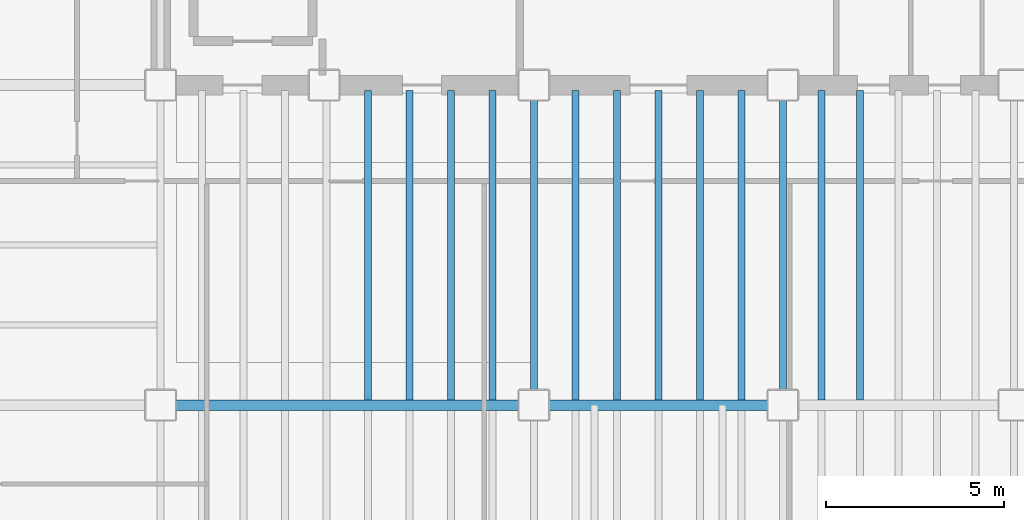
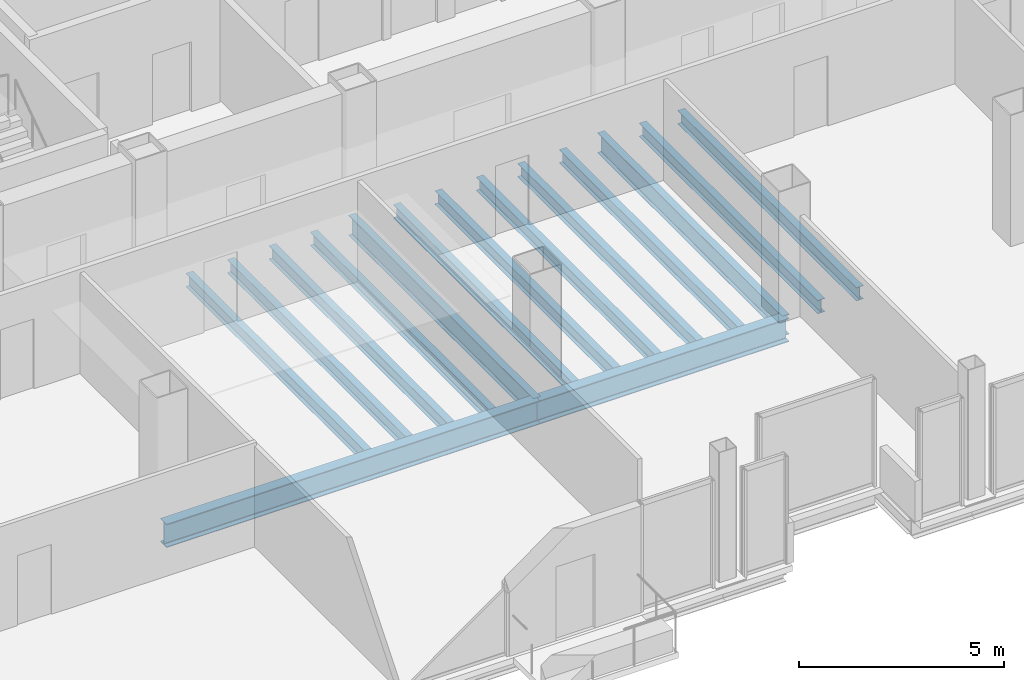
# One storey, part 6 of 20: 15 beams.
"""IFC4 building model written with IfcOpenShell, lengths in metres."""

from ifc_helpers import new_model, si_unit, direction, frame, origin, origin_2d, place, context, subcontext, project, spatial, i_section, extrude, material, material_profile, profile_set, type_object, element, save


model = new_model("IFC4")

# Units and contexts
model_context = context("Model", 3, precision=1e-05, world=origin(), true_north=direction((0.0, 1.0)))
body_context = subcontext(model_context, "Body", "Model", "MODEL_VIEW")
ifc_project = project(units=[si_unit("LENGTHUNIT", "METRE"), si_unit("AREAUNIT", "SQUARE_METRE"), si_unit("VOLUMEUNIT", "CUBIC_METRE"), si_unit("PLANEANGLEUNIT", "RADIAN"), si_unit("MASSUNIT", "GRAM", prefix="KILO")], contexts=[model_context])

# Site, building, storey
site_placement = place(None, origin())
site = spatial("IfcSite", under=ifc_project, at=site_placement, CompositionType="ELEMENT")
building_placement = place(site_placement, origin())
building = spatial("IfcBuilding", under=site, at=building_placement, Name="Noeulbin Bourse Tower", CompositionType="ELEMENT")
storey_placement = place(building_placement, frame((0.0, 0.0, 126.60009765625)))
storey = spatial("IfcBuildingStorey", under=building, at=storey_placement, Name="L31", CompositionType="ELEMENT", Elevation=126.60009765625)

# Beams
ifc_material = material(Name="Steel S355", Category="steel")
ifc_material_profile_1 = material_profile(ifc_material, i_section(OverallWidth=0.199951171875, OverallDepth=0.60009765625, WebThickness=0.010986328125, FlangeThickness=0.01708984375, FilletRadius=0.02197265625, at=origin_2d()), Name="H-600x200x11x17", Category="LoadBearing")
ifc_profile_set_1 = profile_set([ifc_material_profile_1], Name="Steel S355")
beam_type_1 = type_object("IfcBeamType", Name="BM-GRD-600", PredefinedType="USERDEFINED", material=ifc_profile_set_1)
for number, where, z_axis, x_axis, name in (
    (1, (24.0, 20.0, -0.47998046875), (0.0, 1.0, 0.0), (-1.0, 0.0, 0.0), "Tower Primary Girder NS L31-2.2"),
    (2, (31.0, 20.0, -0.47998046875), (0.0, 1.0, 0.0), (-1.0, 0.0, 0.0), "Tower Primary Girder NS L31-3.2"),
):
    element("IfcBeam", number, at=place(storey_placement, frame(where, z_axis=z_axis, x_axis=x_axis)), inside=storey, type_object=beam_type_1, Name=name, ObjectType="GIRDER", PredefinedType="USERDEFINED", context=body_context, shape_type="SweptSolid", body=[
        extrude(i_section(OverallWidth=0.199951171875, OverallDepth=0.60009765625, WebThickness=0.010986328125, FlangeThickness=0.01708984375, FilletRadius=0.02197265625, at=origin_2d()), origin(), (0.0, 0.0, 1.0), 9.0),
    ])
ifc_material_profile_2 = material_profile(ifc_material, i_section(OverallWidth=0.300048828125, OverallDepth=0.699951171875, WebThickness=0.012939453125, FlangeThickness=0.02392578125, FilletRadius=0.02392578125, at=origin_2d()), Name="H-700x300x13x24", Category="LoadBearing")
ifc_profile_set_2 = profile_set([ifc_material_profile_2], Name="Steel S355")
beam_type_2 = type_object("IfcBeamType", Name="BM-GRD-700", PredefinedType="USERDEFINED", material=ifc_profile_set_2)
beam_1_placement = place(storey_placement, frame((13.5, 20.0, -0.530029296875), z_axis=(1.0, 0.0, 0.0), x_axis=(0.0, 1.0, 0.0)))
element("IfcBeam", 3, at=beam_1_placement, inside=storey, type_object=beam_type_2, Name="Tower Primary Girder EW L31-1.2", ObjectType="GIRDER", PredefinedType="USERDEFINED", context=body_context, shape_type="SweptSolid", body=[
    extrude(i_section(OverallWidth=0.300048828125, OverallDepth=0.699951171875, WebThickness=0.012939453125, FlangeThickness=0.02392578125, FilletRadius=0.02392578125, at=origin_2d()), origin(), (0.0, 0.0, 1.0), 10.5),
])
beam_2_placement = place(storey_placement, frame((24.0, 20.0, -0.530029296875), z_axis=(1.0, 0.0, 0.0), x_axis=(0.0, 1.0, 0.0)))
element("IfcBeam", 4, at=beam_2_placement, inside=storey, type_object=beam_type_2, Name="Tower Primary Girder EW L31-1.3", ObjectType="GIRDER", PredefinedType="USERDEFINED", context=body_context, shape_type="SweptSolid", body=[
    extrude(i_section(OverallWidth=0.300048828125, OverallDepth=0.699951171875, WebThickness=0.012939453125, FlangeThickness=0.02392578125, FilletRadius=0.02392578125, at=origin_2d()), origin(), (0.0, 0.0, 1.0), 7.0),
])
ifc_material_profile_3 = material_profile(ifc_material, i_section(OverallWidth=0.199951171875, OverallDepth=0.39990234375, WebThickness=0.008056640625, FlangeThickness=0.012939453125, FilletRadius=0.01611328125, at=origin_2d()), Name="H-400x200x8x13", Category="LoadBearing")
ifc_profile_set_3 = profile_set([ifc_material_profile_3], Name="Steel S355")
beam_type_3 = type_object("IfcBeamType", Name="BM-SEC-400", PredefinedType="BEAM", material=ifc_profile_set_3)
for number, where, z_axis, x_axis, name in (
    (5, (19.333251953125, 20.14990234375, -0.380126953125), (0.0, 1.0, 0.0), (-1.0, 0.0, 0.0), "Tower Composite Joist L31-10"),
    (6, (20.5, 20.14990234375, -0.380126953125), (0.0, 1.0, 0.0), (-1.0, 0.0, 0.0), "Tower Composite Joist L31-12"),
    (7, (21.666748046875, 20.14990234375, -0.380126953125), (0.0, 1.0, 0.0), (-1.0, 0.0, 0.0), "Tower Composite Joist L31-14"),
    (8, (22.833251953125, 20.14990234375, -0.380126953125), (0.0, 1.0, 0.0), (-1.0, 0.0, 0.0), "Tower Composite Joist L31-16"),
    (9, (25.166748046875, 20.14990234375, -0.380126953125), (0.0, 1.0, 0.0), (-1.0, 0.0, 0.0), "Tower Composite Joist L31-18"),
    (10, (26.333251953125, 20.14990234375, -0.380126953125), (0.0, 1.0, 0.0), (-1.0, 0.0, 0.0), "Tower Composite Joist L31-20"),
    (11, (27.5, 20.14990234375, -0.380126953125), (0.0, 1.0, 0.0), (-1.0, 0.0, 0.0), "Tower Composite Joist L31-22"),
    (12, (28.666748046875, 20.14990234375, -0.380126953125), (0.0, 1.0, 0.0), (-1.0, 0.0, 0.0), "Tower Composite Joist L31-24"),
    (13, (29.833251953125, 20.14990234375, -0.380126953125), (0.0, 1.0, 0.0), (-1.0, 0.0, 0.0), "Tower Composite Joist L31-26"),
    (14, (32.083251953125, 20.14990234375, -0.380126953125), (0.0, 1.0, 0.0), (-1.0, 0.0, 0.0), "Tower Composite Joist L31-28"),
    (15, (33.166748046875, 20.14990234375, -0.380126953125), (0.0, 1.0, 0.0), (-1.0, 0.0, 0.0), "Tower Composite Joist L31-30"),
):
    element("IfcBeam", number, at=place(storey_placement, frame(where, z_axis=z_axis, x_axis=x_axis)), inside=storey, type_object=beam_type_3, Name=name, PredefinedType="BEAM", context=body_context, shape_type="SweptSolid", body=[
        extrude(i_section(OverallWidth=0.199951171875, OverallDepth=0.39990234375, WebThickness=0.008056640625, FlangeThickness=0.012939453125, FilletRadius=0.01611328125, at=origin_2d()), origin(), (0.0, 0.0, 1.0), 8.7001953125),
    ])

save(model, "model.ifc")
